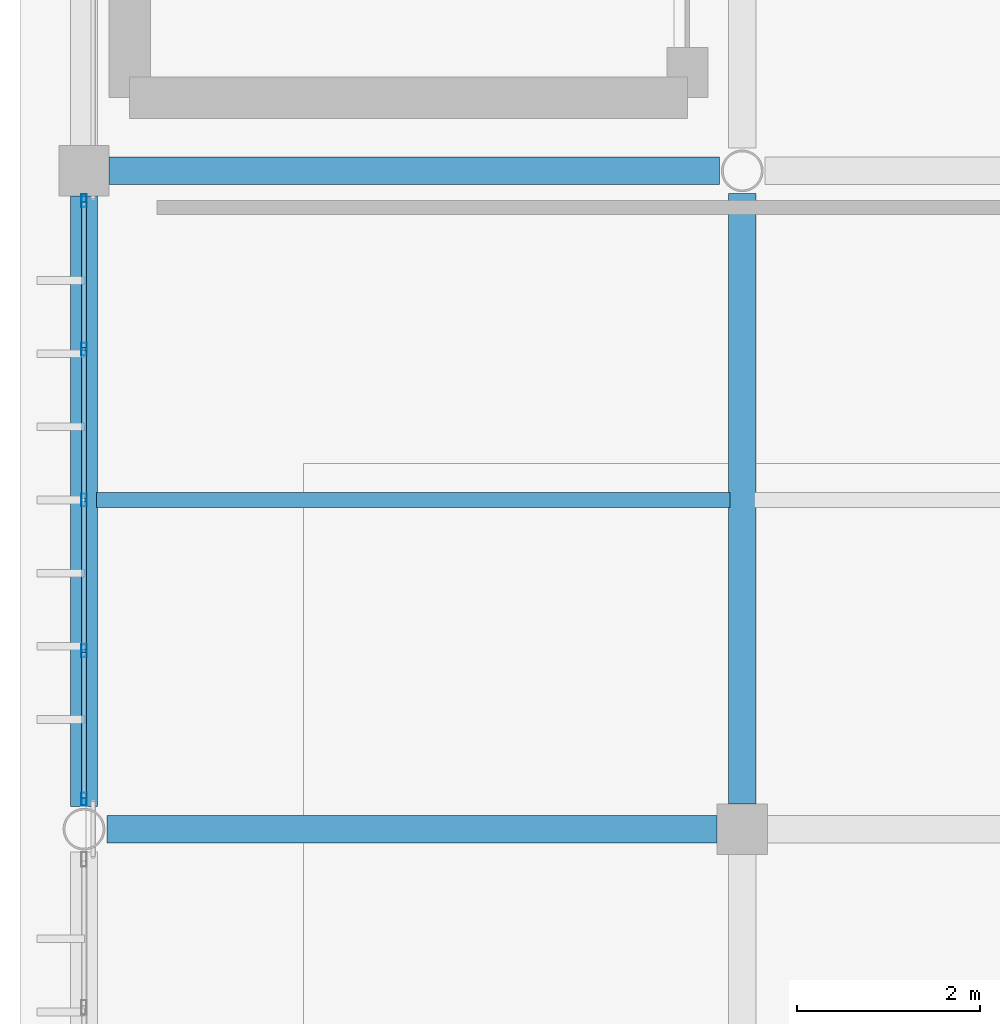
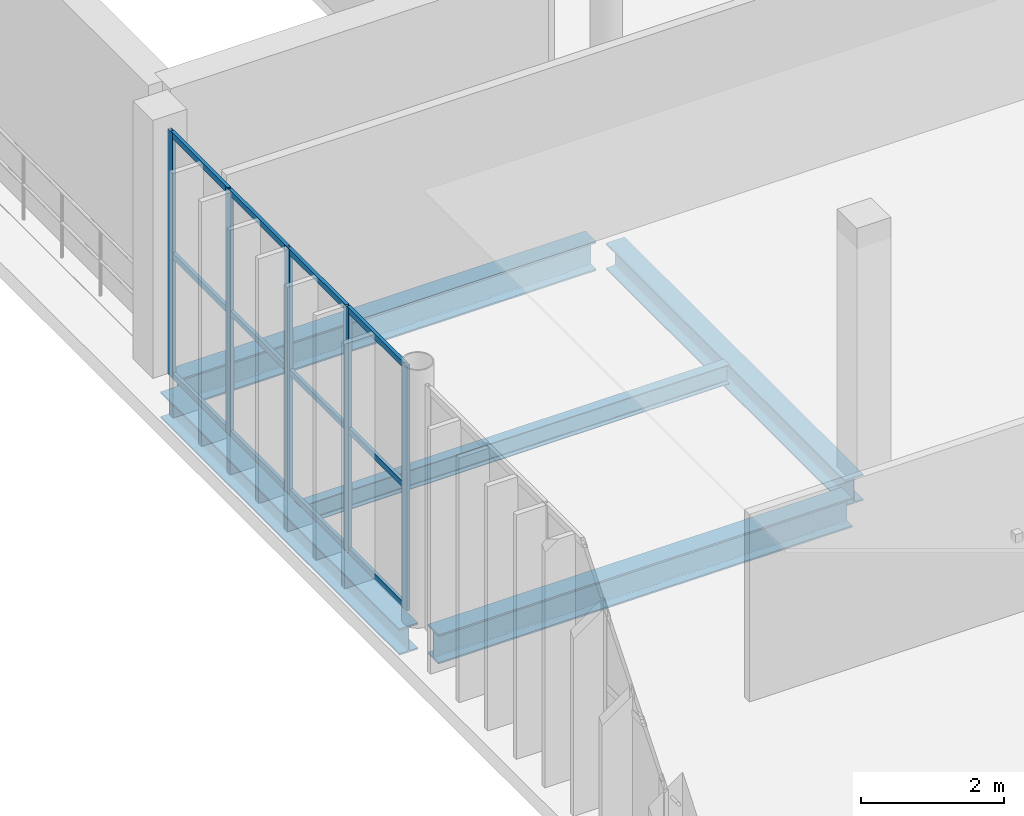
# One storey, part 34 of 81: 17 members, 5 beams, 1 element without a shape of its own.
"""IFC4 building model written with IfcOpenShell, lengths in metres."""

from ifc_helpers import new_model, si_unit, direction, frame, origin, origin_2d, place, context, subcontext, project, spatial, hollow_rectangle, i_section, extrude, material, material_profile, profile_set, type_object, element, aggregate, save


model = new_model("IFC4")

# Units and contexts
model_context = context("Model", 3, precision=1e-05, world=origin(), true_north=direction((0.0, 1.0)))
body_context = subcontext(model_context, "Body", "Model", "MODEL_VIEW")
ifc_project = project(units=[si_unit("LENGTHUNIT", "METRE"), si_unit("AREAUNIT", "SQUARE_METRE"), si_unit("VOLUMEUNIT", "CUBIC_METRE"), si_unit("PLANEANGLEUNIT", "RADIAN"), si_unit("MASSUNIT", "GRAM", prefix="KILO")], contexts=[model_context])

# Site, building, storey
site_placement = place(None, origin())
site = spatial("IfcSite", under=ifc_project, at=site_placement, CompositionType="ELEMENT")
building_placement = place(site_placement, origin())
building = spatial("IfcBuilding", under=site, at=building_placement, Name="Qandorah Velis Arena", CompositionType="ELEMENT")
storey_placement = place(building_placement, frame((0.0, 0.0, 18.60009765625)))
storey = spatial("IfcBuildingStorey", under=building, at=storey_placement, Name="L04", CompositionType="ELEMENT", Elevation=18.60009765625)

# Curtain wall, members
ifc_material_1 = material(Name="Solar-control low-E double glazing", Category="glass")
curtain_wall_type = type_object("IfcCurtainWallType", Name="ARC-CW-SYS12", PredefinedType="USERDEFINED", material=ifc_material_1)
curtain_wall_placement = place(storey_placement, origin())
curtain_wall = element("IfcCurtainWall", 1, at=curtain_wall_placement, inside=storey, type_object=curtain_wall_type, Name="Unitised curtain wall L04-036", ObjectType="UNITISED CURTAIN WALL", PredefinedType="USERDEFINED")
ifc_material_2 = material(Name="Champagne-bronze anodized aluminium 6063-T6", Category="aluminium")
ifc_material_profile_1 = material_profile(ifc_material_2, hollow_rectangle(XDim=0.054931640625, YDim=0.139892578125, WallThickness=0.0029296875, at=origin_2d()), Name="ALU MULLION 55x140")
ifc_profile_set_1 = profile_set([ifc_material_profile_1], Name="Champagne-bronze anodized aluminium 6063-T6")
member_type_1 = type_object("IfcMemberType", Name="ARC-CWM-140", PredefinedType="MULLION", material=ifc_profile_set_1)
member_1_placement = place(storey_placement, frame((0.0, 72.327392578125, -0.01513671875), z_axis=(0.0, 0.0, 1.0), x_axis=(-1.0, 0.0, 0.0)))
member_1 = element("IfcMember", 2, at=member_1_placement, type_object=member_type_1, Name="CW12 mullion 1", PredefinedType="MULLION", context=body_context, shape_type="SweptSolid", body=[
    extrude(hollow_rectangle(XDim=0.054931640625, YDim=0.139892578125, WallThickness=0.0029296875, at=origin_2d()), origin(), (0.0, 0.0, 1.0), 4.179931640625),
])
member_2_placement = place(storey_placement, frame((0.0, 73.949951171875, -0.01513671875), z_axis=(0.0, 0.0, 1.0), x_axis=(-1.0, 0.0, 0.0)))
member_2 = element("IfcMember", 3, at=member_2_placement, type_object=member_type_1, Name="CW12 mullion 2", PredefinedType="MULLION", context=body_context, shape_type="SweptSolid", body=[
    extrude(hollow_rectangle(XDim=0.054931640625, YDim=0.139892578125, WallThickness=0.0029296875, at=origin_2d()), origin(), (0.0, 0.0, 1.0), 4.179931640625),
])
member_3_placement = place(storey_placement, frame((0.0, 75.60009765625, -0.01513671875), z_axis=(0.0, 0.0, 1.0), x_axis=(-1.0, 0.0, 0.0)))
member_3 = element("IfcMember", 4, at=member_3_placement, type_object=member_type_1, Name="CW12 mullion 3", PredefinedType="MULLION", context=body_context, shape_type="SweptSolid", body=[
    extrude(hollow_rectangle(XDim=0.054931640625, YDim=0.139892578125, WallThickness=0.0029296875, at=origin_2d()), origin(), (0.0, 0.0, 1.0), 4.179931640625),
])
member_4_placement = place(storey_placement, frame((0.0, 77.25, -0.01513671875), z_axis=(0.0, 0.0, 1.0), x_axis=(-1.0, 0.0, 0.0)))
member_4 = element("IfcMember", 5, at=member_4_placement, type_object=member_type_1, Name="CW12 mullion 4", PredefinedType="MULLION", context=body_context, shape_type="SweptSolid", body=[
    extrude(hollow_rectangle(XDim=0.054931640625, YDim=0.139892578125, WallThickness=0.0029296875, at=origin_2d()), origin(), (0.0, 0.0, 1.0), 4.179931640625),
])
member_5_placement = place(storey_placement, frame((0.0, 78.87255859375, -0.01513671875), z_axis=(0.0, 0.0, 1.0), x_axis=(-1.0, 0.0, 0.0)))
member_5 = element("IfcMember", 6, at=member_5_placement, type_object=member_type_1, Name="CW12 mullion 5", PredefinedType="MULLION", context=body_context, shape_type="SweptSolid", body=[
    extrude(hollow_rectangle(XDim=0.054931640625, YDim=0.139892578125, WallThickness=0.0029296875, at=origin_2d()), origin(), (0.0, 0.0, 1.0), 4.179931640625),
])
ifc_material_profile_2 = material_profile(ifc_material_2, hollow_rectangle(XDim=0.054931640625, YDim=0.10009765625, WallThickness=0.0029296875, at=origin_2d()), Name="ALU TRANSOM 55x100")
ifc_profile_set_2 = profile_set([ifc_material_profile_2], Name="Champagne-bronze anodized aluminium 6063-T6")
member_type_2 = type_object("IfcMemberType", Name="ARC-CWT-100", PredefinedType="USERDEFINED", material=ifc_profile_set_2)
member_6_placement = place(storey_placement, frame((0.0, 72.343017578125, 0.02734375), z_axis=(0.0, 1.0, 0.0), x_axis=(-1.0, 0.0, 0.0)))
member_6 = element("IfcMember", 7, at=member_6_placement, type_object=member_type_2, Name="CW12 transom 1.1", ObjectType="TRANSOM", PredefinedType="USERDEFINED", context=body_context, shape_type="SweptSolid", body=[
    extrude(hollow_rectangle(XDim=0.054931640625, YDim=0.10009765625, WallThickness=0.0029296875, at=origin_2d()), origin(), (0.0, 0.0, 1.0), 1.591552734375),
])
member_7_placement = place(storey_placement, frame((0.0, 72.343017578125, 2.074951171875), z_axis=(0.0, 1.0, 0.0), x_axis=(-1.0, 0.0, 0.0)))
member_7 = element("IfcMember", 8, at=member_7_placement, type_object=member_type_2, Name="CW12 transom 1.2", ObjectType="TRANSOM", PredefinedType="USERDEFINED", context=body_context, shape_type="SweptSolid", body=[
    extrude(hollow_rectangle(XDim=0.054931640625, YDim=0.10009765625, WallThickness=0.0029296875, at=origin_2d()), origin(), (0.0, 0.0, 1.0), 1.591552734375),
])
member_8_placement = place(storey_placement, frame((0.0, 72.343017578125, 4.122314453125), z_axis=(0.0, 1.0, 0.0), x_axis=(-1.0, 0.0, 0.0)))
member_8 = element("IfcMember", 9, at=member_8_placement, type_object=member_type_2, Name="CW12 transom 1.3", ObjectType="TRANSOM", PredefinedType="USERDEFINED", context=body_context, shape_type="SweptSolid", body=[
    extrude(hollow_rectangle(XDim=0.054931640625, YDim=0.10009765625, WallThickness=0.0029296875, at=origin_2d()), origin(), (0.0, 0.0, 1.0), 1.591552734375),
])
member_9_placement = place(storey_placement, frame((0.0, 73.965576171875, 0.02734375), z_axis=(0.0, 1.0, 0.0), x_axis=(-1.0, 0.0, 0.0)))
member_9 = element("IfcMember", 10, at=member_9_placement, type_object=member_type_2, Name="CW12 transom 2.1", ObjectType="TRANSOM", PredefinedType="USERDEFINED", context=body_context, shape_type="SweptSolid", body=[
    extrude(hollow_rectangle(XDim=0.054931640625, YDim=0.10009765625, WallThickness=0.0029296875, at=origin_2d()), origin(), (0.0, 0.0, 1.0), 1.618896484375),
])
member_10_placement = place(storey_placement, frame((0.0, 73.965576171875, 2.074951171875), z_axis=(0.0, 1.0, 0.0), x_axis=(-1.0, 0.0, 0.0)))
member_10 = element("IfcMember", 11, at=member_10_placement, type_object=member_type_2, Name="CW12 transom 2.2", ObjectType="TRANSOM", PredefinedType="USERDEFINED", context=body_context, shape_type="SweptSolid", body=[
    extrude(hollow_rectangle(XDim=0.054931640625, YDim=0.10009765625, WallThickness=0.0029296875, at=origin_2d()), origin(), (0.0, 0.0, 1.0), 1.618896484375),
])
member_11_placement = place(storey_placement, frame((0.0, 73.965576171875, 4.122314453125), z_axis=(0.0, 1.0, 0.0), x_axis=(-1.0, 0.0, 0.0)))
member_11 = element("IfcMember", 12, at=member_11_placement, type_object=member_type_2, Name="CW12 transom 2.3", ObjectType="TRANSOM", PredefinedType="USERDEFINED", context=body_context, shape_type="SweptSolid", body=[
    extrude(hollow_rectangle(XDim=0.054931640625, YDim=0.10009765625, WallThickness=0.0029296875, at=origin_2d()), origin(), (0.0, 0.0, 1.0), 1.618896484375),
])
member_12_placement = place(storey_placement, frame((0.0, 75.615478515625, 0.02734375), z_axis=(0.0, 1.0, 0.0), x_axis=(-1.0, 0.0, 0.0)))
member_12 = element("IfcMember", 13, at=member_12_placement, type_object=member_type_2, Name="CW12 transom 3.1", ObjectType="TRANSOM", PredefinedType="USERDEFINED", context=body_context, shape_type="SweptSolid", body=[
    extrude(hollow_rectangle(XDim=0.054931640625, YDim=0.10009765625, WallThickness=0.0029296875, at=origin_2d()), origin(), (0.0, 0.0, 1.0), 1.619140625),
])
member_13_placement = place(storey_placement, frame((0.0, 75.615478515625, 2.074951171875), z_axis=(0.0, 1.0, 0.0), x_axis=(-1.0, 0.0, 0.0)))
member_13 = element("IfcMember", 14, at=member_13_placement, type_object=member_type_2, Name="CW12 transom 3.2", ObjectType="TRANSOM", PredefinedType="USERDEFINED", context=body_context, shape_type="SweptSolid", body=[
    extrude(hollow_rectangle(XDim=0.054931640625, YDim=0.10009765625, WallThickness=0.0029296875, at=origin_2d()), origin(), (0.0, 0.0, 1.0), 1.619140625),
])
member_14_placement = place(storey_placement, frame((0.0, 75.615478515625, 4.122314453125), z_axis=(0.0, 1.0, 0.0), x_axis=(-1.0, 0.0, 0.0)))
member_14 = element("IfcMember", 15, at=member_14_placement, type_object=member_type_2, Name="CW12 transom 3.3", ObjectType="TRANSOM", PredefinedType="USERDEFINED", context=body_context, shape_type="SweptSolid", body=[
    extrude(hollow_rectangle(XDim=0.054931640625, YDim=0.10009765625, WallThickness=0.0029296875, at=origin_2d()), origin(), (0.0, 0.0, 1.0), 1.619140625),
])
member_15_placement = place(storey_placement, frame((0.0, 77.265380859375, 0.02734375), z_axis=(0.0, 1.0, 0.0), x_axis=(-1.0, 0.0, 0.0)))
member_15 = element("IfcMember", 16, at=member_15_placement, type_object=member_type_2, Name="CW12 transom 4.1", ObjectType="TRANSOM", PredefinedType="USERDEFINED", context=body_context, shape_type="SweptSolid", body=[
    extrude(hollow_rectangle(XDim=0.054931640625, YDim=0.10009765625, WallThickness=0.0029296875, at=origin_2d()), origin(), (0.0, 0.0, 1.0), 1.591552734375),
])
member_16_placement = place(storey_placement, frame((0.0, 77.265380859375, 2.074951171875), z_axis=(0.0, 1.0, 0.0), x_axis=(-1.0, 0.0, 0.0)))
member_16 = element("IfcMember", 17, at=member_16_placement, type_object=member_type_2, Name="CW12 transom 4.2", ObjectType="TRANSOM", PredefinedType="USERDEFINED", context=body_context, shape_type="SweptSolid", body=[
    extrude(hollow_rectangle(XDim=0.054931640625, YDim=0.10009765625, WallThickness=0.0029296875, at=origin_2d()), origin(), (0.0, 0.0, 1.0), 1.591552734375),
])
member_17_placement = place(storey_placement, frame((0.0, 77.265380859375, 4.122314453125), z_axis=(0.0, 1.0, 0.0), x_axis=(-1.0, 0.0, 0.0)))
member_17 = element("IfcMember", 18, at=member_17_placement, type_object=member_type_2, Name="CW12 transom 4.3", ObjectType="TRANSOM", PredefinedType="USERDEFINED", context=body_context, shape_type="SweptSolid", body=[
    extrude(hollow_rectangle(XDim=0.054931640625, YDim=0.10009765625, WallThickness=0.0029296875, at=origin_2d()), origin(), (0.0, 0.0, 1.0), 1.591552734375),
])
aggregate(curtain_wall, [member_1, member_2, member_3, member_4, member_5, member_6, member_7, member_8, member_9, member_10, member_11, member_12, member_13, member_14, member_15, member_16, member_17])

# Beams
ifc_material_3 = material(Name="Steel S355", Category="steel")
ifc_material_profile_3 = material_profile(ifc_material_3, i_section(OverallWidth=0.300048828125, OverallDepth=0.449951171875, WebThickness=0.013916015625, FlangeThickness=0.02587890625, FilletRadius=0.027099609375, at=origin_2d()), Name="HEB 450")
ifc_profile_set_3 = profile_set([ifc_material_profile_3], Name="Steel S355")
beam_type_1 = type_object("IfcBeamType", Name="STR-BM-HEB450", PredefinedType="BEAM", material=ifc_profile_set_3)
for number, where, z_axis, x_axis, name in (
    (19, (0.0, 72.25, -0.4951171875), (0.0, 1.0, 0.0), (-1.0, 0.0, 0.0), "Primary floor girder L04 Y-153"),
    (20, (7.199951171875, 72.27490234375, -0.4951171875), (0.0, 1.0, 0.0), (-1.0, 0.0, 0.0), "Primary floor girder L04 Y-165"),
):
    element("IfcBeam", number, at=place(storey_placement, frame(where, z_axis=z_axis, x_axis=x_axis)), inside=storey, type_object=beam_type_1, Name=name, PredefinedType="BEAM", context=body_context, shape_type="SweptSolid", body=[
        extrude(i_section(OverallWidth=0.300048828125, OverallDepth=0.449951171875, WebThickness=0.013916015625, FlangeThickness=0.02587890625, FilletRadius=0.027099609375, at=origin_2d()), origin(), (0.0, 0.0, 1.0), 6.675048828125),
    ])
ifc_material_profile_4 = material_profile(ifc_material_3, i_section(OverallWidth=0.300048828125, OverallDepth=0.5, WebThickness=0.014404296875, FlangeThickness=0.028076171875, FilletRadius=0.027099609375, at=origin_2d()), Name="HEB 500")
ifc_profile_set_4 = profile_set([ifc_material_profile_4], Name="Steel S355")
beam_type_2 = type_object("IfcBeamType", Name="STR-BM-HEB500", PredefinedType="BEAM", material=ifc_profile_set_4)
for number, where, z_axis, x_axis, name in (
    (21, (0.25, 72.0, -0.52001953125), (1.0, 0.0, 0.0), (0.0, 1.0, 0.0), "Primary floor girder L04 X-078"),
    (22, (0.27490234375, 79.199951171875, -0.52001953125), (1.0, 0.0, 0.0), (0.0, 1.0, 0.0), "Primary floor girder L04 X-082"),
):
    element("IfcBeam", number, at=place(storey_placement, frame(where, z_axis=z_axis, x_axis=x_axis)), inside=storey, type_object=beam_type_2, Name=name, PredefinedType="BEAM", context=body_context, shape_type="SweptSolid", body=[
        extrude(i_section(OverallWidth=0.300048828125, OverallDepth=0.5, WebThickness=0.014404296875, FlangeThickness=0.028076171875, FilletRadius=0.027099609375, at=origin_2d()), origin(), (0.0, 0.0, 1.0), 6.675048828125),
    ])
ifc_material_profile_5 = material_profile(ifc_material_3, i_section(OverallWidth=0.159912109375, OverallDepth=0.330078125, WebThickness=0.007568359375, FlangeThickness=0.011474609375, FilletRadius=0.01806640625, at=origin_2d()), Name="IPE 330")
ifc_profile_set_5 = profile_set([ifc_material_profile_5], Name="Steel S355")
beam_type_3 = type_object("IfcBeamType", Name="STR-JST-IPE330", PredefinedType="JOIST", material=ifc_profile_set_5)
beam_placement = place(storey_placement, frame((0.135009765625, 75.60009765625, -0.43505859375), z_axis=(1.0, 0.0, 0.0), x_axis=(0.0, 1.0, 0.0)))
element("IfcBeam", 23, at=beam_placement, inside=storey, type_object=beam_type_3, Name="Secondary floor joist L04-006", PredefinedType="JOIST", context=body_context, shape_type="SweptSolid", body=[
    extrude(i_section(OverallWidth=0.159912109375, OverallDepth=0.330078125, WebThickness=0.007568359375, FlangeThickness=0.011474609375, FilletRadius=0.01806640625, at=origin_2d()), origin(), (0.0, 0.0, 1.0), 6.929931640625),
])

save(model, "model.ifc")
